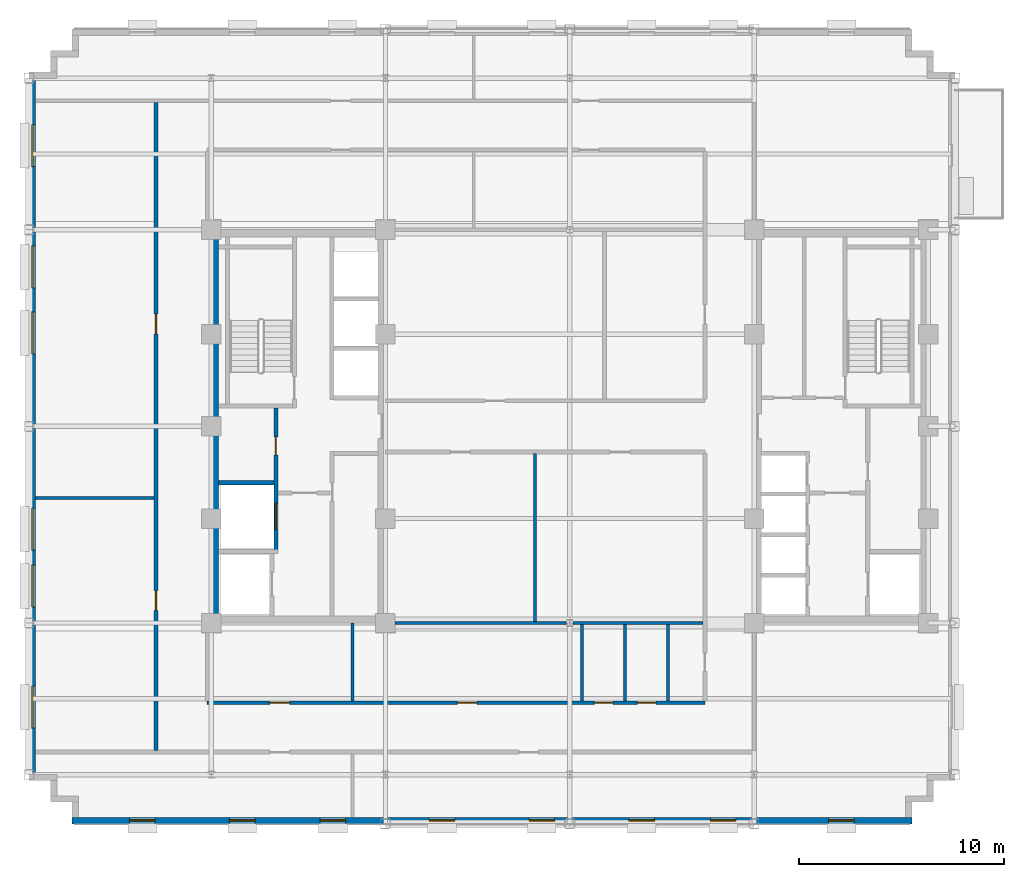
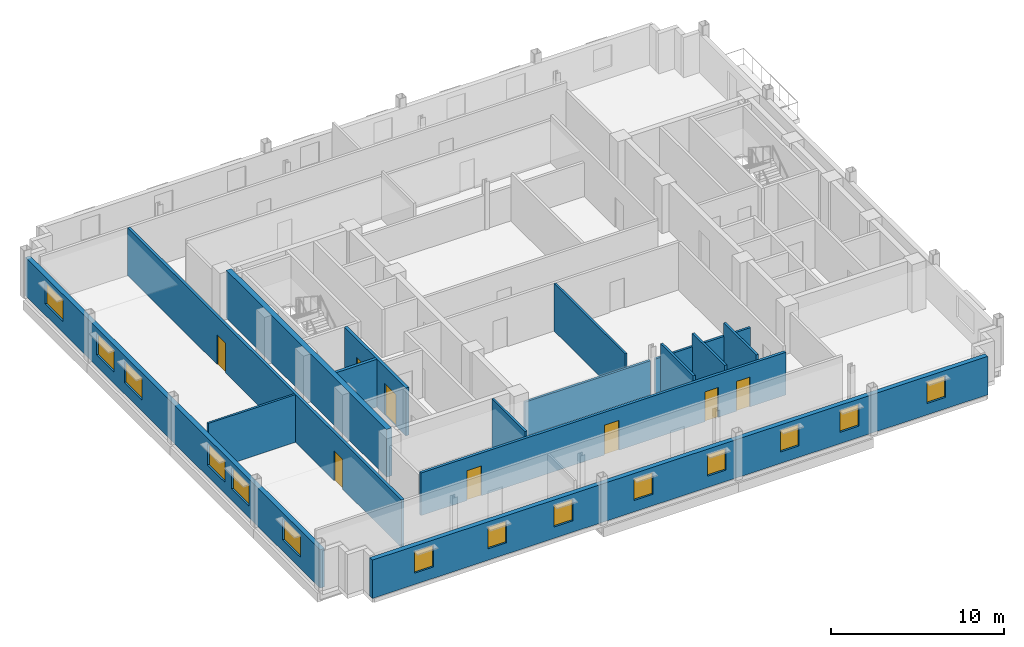
# One storey, part 6 of 13: 15 walls, 14 windows, 8 doors, 22 openings.
"""IFC4 building model written with IfcOpenShell, lengths in metres."""

from ifc_helpers import new_model, si_unit, direction, frame, frame_2d, origin, place, context, subcontext, project, spatial, rectangle, extrude, source, transform, mapped, material, layer, layer_set, type_object, type_shapes, element, fill, save


model = new_model("IFC4")

# Units and contexts
model_context = context("Model", 3, precision=1e-05, world=origin(), true_north=direction((0.0, 1.0)))
body_context = subcontext(model_context, "Body", "Model", "MODEL_VIEW")
ifc_project = project(units=[si_unit("LENGTHUNIT", "METRE"), si_unit("AREAUNIT", "SQUARE_METRE"), si_unit("VOLUMEUNIT", "CUBIC_METRE"), si_unit("PLANEANGLEUNIT", "RADIAN"), si_unit("MASSUNIT", "GRAM", prefix="KILO")], contexts=[model_context])

# Site, building, storey
site_placement = place(None, origin())
site = spatial("IfcSite", under=ifc_project, at=site_placement, CompositionType="ELEMENT")
building_placement = place(site_placement, origin())
building = spatial("IfcBuilding", under=site, at=building_placement, Name="Nuvemarco Arch Tower", CompositionType="ELEMENT")
storey_placement = place(building_placement, frame((0.0, 0.0, 216.449951171875)))
storey = spatial("IfcBuildingStorey", under=building, at=storey_placement, Name="L57", CompositionType="ELEMENT", Elevation=216.449951171875)

# Wall, openings, windows
ifc_material_1 = material(Name="Precast concrete C45/55", Category="concrete")
ifc_layer_1 = layer(ifc_material_1, 0.31005859375, Name="EW-UPP-310")
ifc_layer_set_1 = layer_set([ifc_layer_1], Name="Precast concrete C45/55")
wall_type_1 = type_object("IfcWallType", Name="EW-UPP-310", PredefinedType="STANDARD", material=ifc_layer_set_1)
wall_1_placement = place(storey_placement, frame((-24.300048828125, -19.2451171875, 0.0), z_axis=(0.0, 0.0, 1.0), x_axis=(1.0, 0.0, 0.0)))
wall_1 = element("IfcWall", 1, at=wall_1_placement, inside=storey, type_object=wall_type_1, Name="L57 exterior precast facade wall 1", PredefinedType="STANDARD", context=body_context, shape_type="SweptSolid", body=[
    extrude(rectangle(XDim=41.0, YDim=0.31005859375, at=frame_2d((20.5, 0.0))), origin(), (0.0, 0.0, 1.0), 2.705078125),
])
opening_1_placement = place(wall_1_placement, frame((2.8125, 0.0, 0.800048828125)))
opening_1 = element("IfcOpeningElement", 2, at=opening_1_placement, cuts=wall_1, Name="Opening WN-13", PredefinedType="OPENING", context=body_context, shape_type="SweptSolid", body=[
    extrude(rectangle(XDim=1.25, YDim=1.52001953125, at=frame_2d((0.625, 0.760009765625))), frame((0.0, 0.1650390625, 0.0), z_axis=(0.0, -1.0, 0.0), x_axis=(1.0, 0.0, 0.0)), (0.0, 0.0, 1.0), 0.330078125),
])
opening_2_placement = place(wall_1_placement, frame((7.6875, 0.0, 0.800048828125)))
opening_2 = element("IfcOpeningElement", 3, at=opening_2_placement, cuts=wall_1, Name="Opening WN-13", PredefinedType="OPENING", context=body_context, shape_type="SweptSolid", body=[
    extrude(rectangle(XDim=1.25, YDim=1.52001953125, at=frame_2d((0.625, 0.760009765625))), frame((0.0, 0.1650390625, 0.0), z_axis=(0.0, -1.0, 0.0), x_axis=(1.0, 0.0, 0.0)), (0.0, 0.0, 1.0), 0.330078125),
])
opening_3_placement = place(wall_1_placement, frame((12.112548828125, 0.0, 0.800048828125)))
opening_3 = element("IfcOpeningElement", 4, at=opening_3_placement, cuts=wall_1, Name="Opening WN-13", PredefinedType="OPENING", context=body_context, shape_type="SweptSolid", body=[
    extrude(rectangle(XDim=1.25, YDim=1.52001953125, at=frame_2d((0.625, 0.760009765625))), frame((0.0, 0.1650390625, 0.0), z_axis=(0.0, -1.0, 0.0), x_axis=(1.0, 0.0, 0.0)), (0.0, 0.0, 1.0), 0.330078125),
])
opening_4_placement = place(wall_1_placement, frame((17.4375, 0.0, 0.800048828125)))
opening_4 = element("IfcOpeningElement", 5, at=opening_4_placement, cuts=wall_1, Name="Opening WN-13", PredefinedType="OPENING", context=body_context, shape_type="SweptSolid", body=[
    extrude(rectangle(XDim=1.25, YDim=1.52001953125, at=frame_2d((0.625, 0.760009765625))), frame((0.0, 0.1650390625, 0.0), z_axis=(0.0, -1.0, 0.0), x_axis=(1.0, 0.0, 0.0)), (0.0, 0.0, 1.0), 0.330078125),
])
opening_5_placement = place(wall_1_placement, frame((22.3125, 0.0, 0.800048828125)))
opening_5 = element("IfcOpeningElement", 6, at=opening_5_placement, cuts=wall_1, Name="Opening WN-13", PredefinedType="OPENING", context=body_context, shape_type="SweptSolid", body=[
    extrude(rectangle(XDim=1.25, YDim=1.52001953125, at=frame_2d((0.625, 0.760009765625))), frame((0.0, 0.1650390625, 0.0), z_axis=(0.0, -1.0, 0.0), x_axis=(1.0, 0.0, 0.0)), (0.0, 0.0, 1.0), 0.330078125),
])
opening_6_placement = place(wall_1_placement, frame((27.1875, 0.0, 0.800048828125)))
opening_6 = element("IfcOpeningElement", 7, at=opening_6_placement, cuts=wall_1, Name="Opening WN-13", PredefinedType="OPENING", context=body_context, shape_type="SweptSolid", body=[
    extrude(rectangle(XDim=1.25, YDim=1.52001953125, at=frame_2d((0.625, 0.760009765625))), frame((0.0, 0.1650390625, 0.0), z_axis=(0.0, -1.0, 0.0), x_axis=(1.0, 0.0, 0.0)), (0.0, 0.0, 1.0), 0.330078125),
])
opening_7_placement = place(wall_1_placement, frame((31.16259765625, 0.0, 0.800048828125)))
opening_7 = element("IfcOpeningElement", 8, at=opening_7_placement, cuts=wall_1, Name="Opening WN-13", PredefinedType="OPENING", context=body_context, shape_type="SweptSolid", body=[
    extrude(rectangle(XDim=1.25, YDim=1.52001953125, at=frame_2d((0.625, 0.760009765625))), frame((0.0, 0.1650390625, 0.0), z_axis=(0.0, -1.0, 0.0), x_axis=(1.0, 0.0, 0.0)), (0.0, 0.0, 1.0), 0.330078125),
])
opening_8_placement = place(wall_1_placement, frame((36.9375, 0.0, 0.800048828125)))
opening_8 = element("IfcOpeningElement", 9, at=opening_8_placement, cuts=wall_1, Name="Opening WN-13", PredefinedType="OPENING", context=body_context, shape_type="SweptSolid", body=[
    extrude(rectangle(XDim=1.25, YDim=1.52001953125, at=frame_2d((0.625, 0.760009765625))), frame((0.0, 0.1650390625, 0.0), z_axis=(0.0, -1.0, 0.0), x_axis=(1.0, 0.0, 0.0)), (0.0, 0.0, 1.0), 0.330078125),
])
ifc_material_2 = material(Name="Insulated solar-control glass", Category="glass")
window_type_1 = type_object("IfcWindowType", Name="WN-SET-1250x1520", PartitioningType="SINGLE_PANEL", PredefinedType="WINDOW", material=ifc_material_2)
shared_shape_1 = source(origin(), body_context, "Body", "SweptSolid", [
    extrude(rectangle(XDim=1.25, YDim=1.52001953125, at=frame_2d((0.625, 0.760009765625))), frame((0.0, 0.030029296875, 0.0), z_axis=(0.0, -1.0, 0.0), x_axis=(1.0, 0.0, 0.0)), (0.0, 0.0, 1.0), 0.06005859375),
])
type_shapes(window_type_1, [shared_shape_1])
window_1_placement = place(opening_1_placement, origin())
window_1 = element("IfcWindow", 10, at=window_1_placement, inside=storey, type_object=window_type_1, Name="L57 punched facade window 1", OverallHeight=1.52001953125, OverallWidth=1.25, PartitioningType="SINGLE_PANEL", PredefinedType="WINDOW", context=body_context, shape_type="MappedRepresentation", body=[
    mapped(shared_shape_1, transform((0.0, 0.0, 0.0), scale=1.0)),
])
fill(opening_1, window_1)
window_2_placement = place(opening_2_placement, origin())
window_2 = element("IfcWindow", 11, at=window_2_placement, inside=storey, type_object=window_type_1, Name="L57 punched facade window 2", OverallHeight=1.52001953125, OverallWidth=1.25, PartitioningType="SINGLE_PANEL", PredefinedType="WINDOW", context=body_context, shape_type="MappedRepresentation", body=[
    mapped(shared_shape_1, transform((0.0, 0.0, 0.0), scale=1.0)),
])
fill(opening_2, window_2)
window_3_placement = place(opening_3_placement, origin())
window_3 = element("IfcWindow", 12, at=window_3_placement, inside=storey, type_object=window_type_1, Name="L57 punched facade window 3", OverallHeight=1.52001953125, OverallWidth=1.25, PartitioningType="SINGLE_PANEL", PredefinedType="WINDOW", context=body_context, shape_type="MappedRepresentation", body=[
    mapped(shared_shape_1, transform((0.0, 0.0, 0.0), scale=1.0)),
])
fill(opening_3, window_3)
window_4_placement = place(opening_4_placement, origin())
window_4 = element("IfcWindow", 13, at=window_4_placement, inside=storey, type_object=window_type_1, Name="L57 punched facade window 4", OverallHeight=1.52001953125, OverallWidth=1.25, PartitioningType="SINGLE_PANEL", PredefinedType="WINDOW", context=body_context, shape_type="MappedRepresentation", body=[
    mapped(shared_shape_1, transform((0.0, 0.0, 0.0), scale=1.0)),
])
fill(opening_4, window_4)
window_5_placement = place(opening_5_placement, origin())
window_5 = element("IfcWindow", 14, at=window_5_placement, inside=storey, type_object=window_type_1, Name="L57 punched facade window 5", OverallHeight=1.52001953125, OverallWidth=1.25, PartitioningType="SINGLE_PANEL", PredefinedType="WINDOW", context=body_context, shape_type="MappedRepresentation", body=[
    mapped(shared_shape_1, transform((0.0, 0.0, 0.0), scale=1.0)),
])
fill(opening_5, window_5)
window_6_placement = place(opening_6_placement, origin())
window_6 = element("IfcWindow", 15, at=window_6_placement, inside=storey, type_object=window_type_1, Name="L57 punched facade window 6", OverallHeight=1.52001953125, OverallWidth=1.25, PartitioningType="SINGLE_PANEL", PredefinedType="WINDOW", context=body_context, shape_type="MappedRepresentation", body=[
    mapped(shared_shape_1, transform((0.0, 0.0, 0.0), scale=1.0)),
])
fill(opening_6, window_6)
window_7_placement = place(opening_7_placement, origin())
window_7 = element("IfcWindow", 16, at=window_7_placement, inside=storey, type_object=window_type_1, Name="L57 punched facade window 7", OverallHeight=1.52001953125, OverallWidth=1.25, PartitioningType="SINGLE_PANEL", PredefinedType="WINDOW", context=body_context, shape_type="MappedRepresentation", body=[
    mapped(shared_shape_1, transform((0.0, 0.0, 0.0), scale=1.0)),
])
fill(opening_7, window_7)
window_8_placement = place(opening_8_placement, origin())
window_8 = element("IfcWindow", 17, at=window_8_placement, inside=storey, type_object=window_type_1, Name="L57 punched facade window 8", OverallHeight=1.52001953125, OverallWidth=1.25, PartitioningType="SINGLE_PANEL", PredefinedType="WINDOW", context=body_context, shape_type="MappedRepresentation", body=[
    mapped(shared_shape_1, transform((0.0, 0.0, 0.0), scale=1.0)),
])
fill(opening_8, window_8)

wall_2_placement = place(storey_placement, frame((-26.2451171875, -16.993896484375, 0.0), z_axis=(0.0, 0.0, 1.0), x_axis=(0.0, 1.0, 0.0)))
wall_2 = element("IfcWall", 18, at=wall_2_placement, inside=storey, type_object=wall_type_1, Name="L57 exterior precast facade wall 16", PredefinedType="STANDARD", context=body_context, shape_type="SweptSolid", body=[
    extrude(rectangle(XDim=33.98779296875, YDim=0.31005859375, at=frame_2d((16.993896484375, 0.0))), origin(), (0.0, 0.0, 1.0), 2.705078125),
])
opening_9_placement = place(wall_2_placement, frame((2.260009765625, 0.0, 0.800048828125)))
opening_9 = element("IfcOpeningElement", 19, at=opening_9_placement, cuts=wall_2, Name="Opening WN-12", PredefinedType="OPENING", context=body_context, shape_type="SweptSolid", body=[
    extrude(rectangle(XDim=2.050048828125, YDim=1.52001953125, at=frame_2d((1.02490234375, 0.760009765625))), frame((0.0, 0.1650390625, 0.0), z_axis=(0.0, -1.0, 0.0), x_axis=(1.0, 0.0, 0.0)), (0.0, 0.0, 1.0), 0.330078125),
])
opening_10_placement = place(wall_2_placement, frame((8.1796875, 0.0, 0.800048828125)))
opening_10 = element("IfcOpeningElement", 20, at=opening_10_placement, cuts=wall_2, Name="Opening WN-12", PredefinedType="OPENING", context=body_context, shape_type="SweptSolid", body=[
    extrude(rectangle(XDim=2.050048828125, YDim=1.52001953125, at=frame_2d((1.02490234375, 0.760009765625))), frame((0.0, 0.1650390625, 0.0), z_axis=(0.0, -1.0, 0.0), x_axis=(1.0, 0.0, 0.0)), (0.0, 0.0, 1.0), 0.330078125),
])
opening_11_placement = place(wall_2_placement, frame((10.94921875, 0.0, 0.800048828125)))
opening_11 = element("IfcOpeningElement", 21, at=opening_11_placement, cuts=wall_2, Name="Opening WN-12", PredefinedType="OPENING", context=body_context, shape_type="SweptSolid", body=[
    extrude(rectangle(XDim=2.050048828125, YDim=1.52001953125, at=frame_2d((1.02490234375, 0.760009765625))), frame((0.0, 0.1650390625, 0.0), z_axis=(0.0, -1.0, 0.0), x_axis=(1.0, 0.0, 0.0)), (0.0, 0.0, 1.0), 0.330078125),
])
opening_12_placement = place(wall_2_placement, frame((20.538818359375, 0.0, 0.800048828125)))
opening_12 = element("IfcOpeningElement", 22, at=opening_12_placement, cuts=wall_2, Name="Opening WN-12", PredefinedType="OPENING", context=body_context, shape_type="SweptSolid", body=[
    extrude(rectangle(XDim=2.050048828125, YDim=1.52001953125, at=frame_2d((1.02490234375, 0.760009765625))), frame((0.0, 0.1650390625, 0.0), z_axis=(0.0, -1.0, 0.0), x_axis=(1.0, 0.0, 0.0)), (0.0, 0.0, 1.0), 0.330078125),
])
opening_13_placement = place(wall_2_placement, frame((23.75830078125, 0.0, 0.800048828125)))
opening_13 = element("IfcOpeningElement", 23, at=opening_13_placement, cuts=wall_2, Name="Opening WN-12", PredefinedType="OPENING", context=body_context, shape_type="SweptSolid", body=[
    extrude(rectangle(XDim=2.050048828125, YDim=1.52001953125, at=frame_2d((1.02490234375, 0.760009765625))), frame((0.0, 0.1650390625, 0.0), z_axis=(0.0, -1.0, 0.0), x_axis=(1.0, 0.0, 0.0)), (0.0, 0.0, 1.0), 0.330078125),
])
opening_14_placement = place(wall_2_placement, frame((29.677978515625, 0.0, 0.800048828125)))
opening_14 = element("IfcOpeningElement", 24, at=opening_14_placement, cuts=wall_2, Name="Opening WN-12", PredefinedType="OPENING", context=body_context, shape_type="SweptSolid", body=[
    extrude(rectangle(XDim=2.050048828125, YDim=1.52001953125, at=frame_2d((1.02490234375, 0.760009765625))), frame((0.0, 0.1650390625, 0.0), z_axis=(0.0, -1.0, 0.0), x_axis=(1.0, 0.0, 0.0)), (0.0, 0.0, 1.0), 0.330078125),
])
window_type_2 = type_object("IfcWindowType", Name="WN-SET-2050x1520", PartitioningType="DOUBLE_PANEL_VERTICAL", PredefinedType="WINDOW", material=ifc_material_2)
shared_shape_2 = source(origin(), body_context, "Body", "SweptSolid", [
    extrude(rectangle(XDim=2.050048828125, YDim=1.52001953125, at=frame_2d((1.02490234375, 0.760009765625))), frame((0.0, 0.030029296875, 0.0), z_axis=(0.0, -1.0, 0.0), x_axis=(1.0, 0.0, 0.0)), (0.0, 0.0, 1.0), 0.06005859375),
])
type_shapes(window_type_2, [shared_shape_2])
window_9_placement = place(opening_9_placement, origin())
window_9 = element("IfcWindow", 25, at=window_9_placement, inside=storey, type_object=window_type_2, Name="L57 punched facade window 1", OverallHeight=1.52001953125, OverallWidth=2.050048828125, PartitioningType="SINGLE_PANEL", PredefinedType="WINDOW", context=body_context, shape_type="MappedRepresentation", body=[
    mapped(shared_shape_2, transform((0.0, 0.0, 0.0), scale=1.0)),
])
fill(opening_9, window_9)
window_10_placement = place(opening_10_placement, origin())
window_10 = element("IfcWindow", 26, at=window_10_placement, inside=storey, type_object=window_type_2, Name="L57 punched facade window 2", OverallHeight=1.52001953125, OverallWidth=2.050048828125, PartitioningType="SINGLE_PANEL", PredefinedType="WINDOW", context=body_context, shape_type="MappedRepresentation", body=[
    mapped(shared_shape_2, transform((0.0, 0.0, 0.0), scale=1.0)),
])
fill(opening_10, window_10)
window_11_placement = place(opening_11_placement, origin())
window_11 = element("IfcWindow", 27, at=window_11_placement, inside=storey, type_object=window_type_2, Name="L57 punched facade window 3", OverallHeight=1.52001953125, OverallWidth=2.050048828125, PartitioningType="SINGLE_PANEL", PredefinedType="WINDOW", context=body_context, shape_type="MappedRepresentation", body=[
    mapped(shared_shape_2, transform((0.0, 0.0, 0.0), scale=1.0)),
])
fill(opening_11, window_11)
window_12_placement = place(opening_12_placement, origin())
window_12 = element("IfcWindow", 28, at=window_12_placement, inside=storey, type_object=window_type_2, Name="L57 punched facade window 5", OverallHeight=1.52001953125, OverallWidth=2.050048828125, PartitioningType="SINGLE_PANEL", PredefinedType="WINDOW", context=body_context, shape_type="MappedRepresentation", body=[
    mapped(shared_shape_2, transform((0.0, 0.0, 0.0), scale=1.0)),
])
fill(opening_12, window_12)
window_13_placement = place(opening_13_placement, origin())
window_13 = element("IfcWindow", 29, at=window_13_placement, inside=storey, type_object=window_type_2, Name="L57 punched facade window 6", OverallHeight=1.52001953125, OverallWidth=2.050048828125, PartitioningType="SINGLE_PANEL", PredefinedType="WINDOW", context=body_context, shape_type="MappedRepresentation", body=[
    mapped(shared_shape_2, transform((0.0, 0.0, 0.0), scale=1.0)),
])
fill(opening_13, window_13)
window_14_placement = place(opening_14_placement, origin())
window_14 = element("IfcWindow", 30, at=window_14_placement, inside=storey, type_object=window_type_2, Name="L57 punched facade window 7", OverallHeight=1.52001953125, OverallWidth=2.050048828125, PartitioningType="SINGLE_PANEL", PredefinedType="WINDOW", context=body_context, shape_type="MappedRepresentation", body=[
    mapped(shared_shape_2, transform((0.0, 0.0, 0.0), scale=1.0)),
])
fill(opening_14, window_14)

# Wall
ifc_material_3 = material(Name="Concrete C50/60", Category="concrete")
ifc_layer_2 = layer(ifc_material_3, 0.35009765625, Name="WL-CORE-350")
ifc_layer_set_2 = layer_set([ifc_layer_2], Name="Concrete C50/60")
wall_type_2 = type_object("IfcWallType", Name="WL-CORE-350", PredefinedType="SHEAR", material=ifc_layer_set_2)
wall_3_placement = place(storey_placement, frame((-17.324951171875, -9.2548828125, 0.0), z_axis=(0.0, 0.0, 1.0), x_axis=(0.0, 1.0, 0.0)))
element("IfcWall", 31, at=wall_3_placement, inside=storey, type_object=wall_type_2, Name="L57 W-core shear wall W", PredefinedType="SHEAR", context=body_context, shape_type="SweptSolid", body=[
    extrude(rectangle(XDim=18.509765625, YDim=0.35009765625, at=frame_2d((9.2548828125, 0.0))), origin(), (0.0, 0.0, 1.0), 3.3701171875),
])

# Wall, openings, doors
ifc_material_4 = material(Name="Fire-rated gypsum drywall partition")
ifc_layer_3 = layer(ifc_material_4, 0.179931640625, Name="WL-CORR-180")
ifc_layer_set_3 = layer_set([ifc_layer_3], Name="Fire-rated gypsum drywall partition")
wall_type_3 = type_object("IfcWallType", Name="WL-CORR-180", PredefinedType="PARTITIONING", material=ifc_layer_set_3)
wall_4_placement = place(storey_placement, frame((-17.699951171875, -13.5, 0.0), z_axis=(0.0, 0.0, 1.0), x_axis=(1.0, 0.0, 0.0)))
wall_4 = element("IfcWall", 32, at=wall_4_placement, inside=storey, type_object=wall_type_3, Name="L57 interior wall IW-L57-002", PredefinedType="PARTITIONING", context=body_context, shape_type="SweptSolid", body=[
    extrude(rectangle(XDim=24.300048828125, YDim=0.179931640625, at=frame_2d((12.14990234375, 0.0))), origin(), (0.0, 0.0, 1.0), 3.008056640625),
])
opening_15_placement = place(wall_4_placement, frame((12.215087890625, 0.0, 0.0)))
opening_15 = element("IfcOpeningElement", 33, at=opening_15_placement, cuts=wall_4, Name="Opening FD-5", PredefinedType="OPENING", context=body_context, shape_type="SweptSolid", body=[
    extrude(rectangle(XDim=0.9599609375, YDim=2.10009765625, at=frame_2d((0.47998046875, 1.050048828125))), frame((0.0, 0.099853515625, 0.0), z_axis=(0.0, -1.0, 0.0), x_axis=(1.0, 0.0, 0.0)), (0.0, 0.0, 1.0), 0.199951171875),
])
opening_16_placement = place(wall_4_placement, frame((3.06494140625, 0.0, 0.0)))
opening_16 = element("IfcOpeningElement", 34, at=opening_16_placement, cuts=wall_4, Name="Opening FD-5", PredefinedType="OPENING", context=body_context, shape_type="SweptSolid", body=[
    extrude(rectangle(XDim=0.9599609375, YDim=2.10009765625, at=frame_2d((0.47998046875, 1.050048828125))), frame((0.0, 0.099853515625, 0.0), z_axis=(0.0, -1.0, 0.0), x_axis=(1.0, 0.0, 0.0)), (0.0, 0.0, 1.0), 0.199951171875),
])
opening_17_placement = place(wall_4_placement, frame((18.89990234375, 0.0, 0.0)))
opening_17 = element("IfcOpeningElement", 35, at=opening_17_placement, cuts=wall_4, Name="Opening ID-3", PredefinedType="OPENING", context=body_context, shape_type="SweptSolid", body=[
    extrude(rectangle(XDim=0.89990234375, YDim=2.10009765625, at=frame_2d((0.449951171875, 1.050048828125))), frame((0.0, 0.099853515625, 0.0), z_axis=(0.0, -1.0, 0.0), x_axis=(1.0, 0.0, 0.0)), (0.0, 0.0, 1.0), 0.199951171875),
])
opening_18_placement = place(wall_4_placement, frame((21.0, 0.0, 0.0)))
opening_18 = element("IfcOpeningElement", 36, at=opening_18_placement, cuts=wall_4, Name="Opening ID-3", PredefinedType="OPENING", context=body_context, shape_type="SweptSolid", body=[
    extrude(rectangle(XDim=0.89990234375, YDim=2.10009765625, at=frame_2d((0.449951171875, 1.050048828125))), frame((0.0, 0.099853515625, 0.0), z_axis=(0.0, -1.0, 0.0), x_axis=(1.0, 0.0, 0.0)), (0.0, 0.0, 1.0), 0.199951171875),
])
ifc_material_5 = material(Name="Timber fire door", Category="wood")
door_type_1 = type_object("IfcDoorType", Name="DR-CORR-FD", OperationType="NOTDEFINED", PredefinedType="DOOR", material=ifc_material_5)
shared_shape_3 = source(origin(), body_context, "Body", "SweptSolid", [
    extrude(rectangle(XDim=0.9599609375, YDim=2.10009765625, at=frame_2d((0.47998046875, 1.050048828125))), frame((0.0, 0.02490234375, 0.0), z_axis=(0.0, -1.0, 0.0), x_axis=(1.0, 0.0, 0.0)), (0.0, 0.0, 1.0), 0.050048828125),
])
type_shapes(door_type_1, [shared_shape_3])
door_1_placement = place(opening_15_placement, origin())
door_1 = element("IfcDoor", 37, at=door_1_placement, inside=storey, type_object=door_type_1, Name="L57 door DR-L57-S_2_2", OperationType="SINGLE_SWING_RIGHT", OverallHeight=2.10009765625, OverallWidth=0.9599609375, PredefinedType="DOOR", context=body_context, shape_type="MappedRepresentation", body=[
    mapped(shared_shape_3, transform((0.0, 0.0, 0.0), scale=1.0)),
])
fill(opening_15, door_1)
door_2_placement = place(opening_16_placement, origin())
door_2 = element("IfcDoor", 38, at=door_2_placement, inside=storey, type_object=door_type_1, Name="L57 door DR-L57-IN_S1", OperationType="SINGLE_SWING_LEFT", OverallHeight=2.10009765625, OverallWidth=0.9599609375, PredefinedType="DOOR", context=body_context, shape_type="MappedRepresentation", body=[
    mapped(shared_shape_3, transform((0.0, 0.0, 0.0), scale=1.0)),
])
fill(opening_16, door_2)
ifc_material_6 = material(Name="Veneered oak timber fire door", Category="wood")
door_type_2 = type_object("IfcDoorType", Name="DR-WC-ACC", OperationType="NOTDEFINED", PredefinedType="DOOR", material=ifc_material_6)
shared_shape_4 = source(origin(), body_context, "Body", "SweptSolid", [
    extrude(rectangle(XDim=0.89990234375, YDim=2.10009765625, at=frame_2d((0.449951171875, 1.050048828125))), frame((0.0, 0.02490234375, 0.0), z_axis=(0.0, -1.0, 0.0), x_axis=(1.0, 0.0, 0.0)), (0.0, 0.0, 1.0), 0.050048828125),
])
type_shapes(door_type_2, [shared_shape_4])
door_3_placement = place(opening_17_placement, origin())
door_3 = element("IfcDoor", 39, at=door_3_placement, inside=storey, type_object=door_type_2, Name="L57 door DR-L57-WC_M", OperationType="SINGLE_SWING_LEFT", OverallHeight=2.10009765625, OverallWidth=0.89990234375, PredefinedType="DOOR", context=body_context, shape_type="MappedRepresentation", body=[
    mapped(shared_shape_4, transform((0.0, 0.0, 0.0), scale=1.0)),
])
fill(opening_17, door_3)
door_4_placement = place(opening_18_placement, origin())
door_4 = element("IfcDoor", 40, at=door_4_placement, inside=storey, type_object=door_type_2, Name="L57 door DR-L57-WC_F", OperationType="SINGLE_SWING_RIGHT", OverallHeight=2.10009765625, OverallWidth=0.89990234375, PredefinedType="DOOR", context=body_context, shape_type="MappedRepresentation", body=[
    mapped(shared_shape_4, transform((0.0, 0.0, 0.0), scale=1.0)),
])
fill(opening_18, door_4)

wall_5_placement = place(storey_placement, frame((-20.199951171875, -15.81396484375, 0.0), z_axis=(0.0, 0.0, 1.0), x_axis=(0.0, 1.0, 0.0)))
wall_5 = element("IfcWall", 41, at=wall_5_placement, inside=storey, type_object=wall_type_3, Name="L57 interior wall IW-L57-012", PredefinedType="PARTITIONING", context=body_context, shape_type="SweptSolid", body=[
    extrude(rectangle(XDim=31.6279296875, YDim=0.179931640625, at=frame_2d((15.81396484375, 0.0))), origin(), (0.0, 0.0, 1.0), 3.360107421875),
])
opening_19_placement = place(wall_5_placement, frame((20.333984375, 0.0, 0.0)))
opening_19 = element("IfcOpeningElement", 42, at=opening_19_placement, cuts=wall_5, Name="Opening FD-5", PredefinedType="OPENING", context=body_context, shape_type="SweptSolid", body=[
    extrude(rectangle(XDim=0.9599609375, YDim=2.10009765625, at=frame_2d((0.47998046875, 1.050048828125))), frame((0.0, 0.099853515625, 0.0), z_axis=(0.0, -1.0, 0.0), x_axis=(1.0, 0.0, 0.0)), (0.0, 0.0, 1.0), 0.199951171875),
])
opening_20_placement = place(wall_5_placement, frame((6.833984375, 0.0, 0.0)))
opening_20 = element("IfcOpeningElement", 43, at=opening_20_placement, cuts=wall_5, Name="Opening FD-5", PredefinedType="OPENING", context=body_context, shape_type="SweptSolid", body=[
    extrude(rectangle(XDim=0.9599609375, YDim=2.10009765625, at=frame_2d((0.47998046875, 1.050048828125))), frame((0.0, 0.099853515625, 0.0), z_axis=(0.0, -1.0, 0.0), x_axis=(1.0, 0.0, 0.0)), (0.0, 0.0, 1.0), 0.199951171875),
])
door_5_placement = place(opening_19_placement, origin())
door_5 = element("IfcDoor", 44, at=door_5_placement, inside=storey, type_object=door_type_1, Name="L57 door DR-L57-W_2", OperationType="SINGLE_SWING_LEFT", OverallHeight=2.10009765625, OverallWidth=0.9599609375, PredefinedType="DOOR", context=body_context, shape_type="MappedRepresentation", body=[
    mapped(shared_shape_3, transform((0.0, 0.0, 0.0), scale=1.0)),
])
fill(opening_19, door_5)
door_6_placement = place(opening_20_placement, origin())
door_6 = element("IfcDoor", 45, at=door_6_placement, inside=storey, type_object=door_type_1, Name="L57 door DR-L57-W_1", OperationType="SINGLE_SWING_RIGHT", OverallHeight=2.10009765625, OverallWidth=0.9599609375, PredefinedType="DOOR", context=body_context, shape_type="MappedRepresentation", body=[
    mapped(shared_shape_3, transform((0.0, 0.0, 0.0), scale=1.0)),
])
fill(opening_20, door_6)

# Walls
ifc_material_7 = material(Name="Gypsum plasterboard partition")
ifc_layer_4 = layer(ifc_material_7, 0.139892578125, Name="WL-ROOM-140")
ifc_layer_set_4 = layer_set([ifc_layer_4], Name="Gypsum plasterboard partition")
wall_type_4 = type_object("IfcWallType", Name="WL-ROOM-140", PredefinedType="PARTITIONING", material=ifc_layer_set_4)
wall_6_placement = place(storey_placement, frame((-26.090087890625, -3.5, 0.0), z_axis=(0.0, 0.0, 1.0), x_axis=(1.0, 0.0, 0.0)))
element("IfcWall", 46, at=wall_6_placement, inside=storey, type_object=wall_type_4, Name="L57 interior wall IW-L57-005", PredefinedType="PARTITIONING", context=body_context, shape_type="SweptSolid", body=[
    extrude(rectangle(XDim=5.80419921875, YDim=0.139892578125, at=frame_2d((2.902099609375, 0.0))), origin(), (0.0, 0.0, 1.0), 3.360107421875),
])
wall_7_placement = place(storey_placement, frame((-10.610107421875, -13.4140625, 0.0), z_axis=(0.0, 0.0, 1.0), x_axis=(0.0, 1.0, 0.0)))
element("IfcWall", 47, at=wall_7_placement, inside=storey, type_object=wall_type_4, Name="L57 interior wall IW-L57-016", PredefinedType="PARTITIONING", context=body_context, shape_type="SweptSolid", body=[
    extrude(rectangle(XDim=3.81396484375, YDim=0.139892578125, at=frame_2d((1.906982421875, 0.0))), origin(), (0.0, 0.0, 1.0), 3.360107421875),
])
wall_8_placement = place(storey_placement, frame((-1.699951171875, -9.529052734375, 0.0), z_axis=(0.0, 0.0, 1.0), x_axis=(0.0, 1.0, 0.0)))
element("IfcWall", 48, at=wall_8_placement, inside=storey, type_object=wall_type_4, Name="L57 interior wall IW-L57-019", PredefinedType="PARTITIONING", context=body_context, shape_type="SweptSolid", body=[
    extrude(rectangle(XDim=8.193115234375, YDim=0.139892578125, at=frame_2d((4.0966796875, 0.0))), origin(), (0.0, 0.0, 1.0), 3.360107421875),
])

# Wall, openings, doors
ifc_layer_5 = layer(ifc_material_3, 0.199951171875, Name="WL-SHAFT-220")
ifc_layer_set_5 = layer_set([ifc_layer_5], Name="Concrete C50/60")
wall_type_5 = type_object("IfcWallType", Name="WL-SHAFT-220", PredefinedType="SHEAR", material=ifc_layer_set_5)
wall_9_placement = place(storey_placement, frame((-14.35009765625, -6.199951171875, 0.0), z_axis=(0.0, 0.0, 1.0), x_axis=(0.0, 1.0, 0.0)))
wall_9 = element("IfcWall", 49, at=wall_9_placement, inside=storey, type_object=wall_type_5, Name="L57 structural shaft wall SW-L57-W-SVE", PredefinedType="SHEAR", context=body_context, shape_type="SweptSolid", body=[
    extrude(rectangle(XDim=7.10498046875, YDim=0.199951171875, at=frame_2d((3.552490234375, 0.0))), origin(), (0.0, 0.0, 1.0), 3.3701171875),
])
opening_21_placement = place(wall_9_placement, frame((5.68994140625, 0.0, 0.0), z_axis=(0.0, 0.0, 1.0), x_axis=(-1.0, 0.0, 0.0)))
opening_21 = element("IfcOpeningElement", 50, at=opening_21_placement, cuts=wall_9, Name="Opening FD-4", PredefinedType="OPENING", context=body_context, shape_type="SweptSolid", body=[
    extrude(rectangle(XDim=0.8798828125, YDim=2.10009765625, at=frame_2d((0.43994140625, 1.050048828125))), frame((0.0, 0.10986328125, 0.0), z_axis=(0.0, -1.0, 0.0), x_axis=(1.0, 0.0, 0.0)), (0.0, 0.0, 1.0), 0.219970703125),
])
opening_22_placement = place(wall_9_placement, frame((1.14990234375, 0.0, 0.0)))
opening_22 = element("IfcOpeningElement", 51, at=opening_22_placement, cuts=wall_9, Name="Opening LD-3", PredefinedType="OPENING", context=body_context, shape_type="SweptSolid", body=[
    extrude(rectangle(XDim=1.300048828125, YDim=2.199951171875, at=frame_2d((0.64990234375, 1.10009765625))), frame((0.0, 0.10986328125, 0.0), z_axis=(0.0, -1.0, 0.0), x_axis=(1.0, 0.0, 0.0)), (0.0, 0.0, 1.0), 0.219970703125),
])
ifc_material_8 = material(Name="Anodised steel fire door", Category="steel")
door_type_3 = type_object("IfcDoorType", Name="DR-RISER-FD", OperationType="NOTDEFINED", PredefinedType="DOOR", material=ifc_material_8)
shared_shape_5 = source(origin(), body_context, "Body", "SweptSolid", [
    extrude(rectangle(XDim=0.8798828125, YDim=2.10009765625, at=frame_2d((0.43994140625, 1.050048828125))), frame((0.0, 0.02490234375, 0.0), z_axis=(0.0, -1.0, 0.0), x_axis=(1.0, 0.0, 0.0)), (0.0, 0.0, 1.0), 0.050048828125),
])
type_shapes(door_type_3, [shared_shape_5])
door_7_placement = place(opening_21_placement, origin())
door_7 = element("IfcDoor", 52, at=door_7_placement, inside=storey, type_object=door_type_3, Name="L57 door FD-L57-WRIS", OperationType="SINGLE_SWING_LEFT", OverallHeight=2.10009765625, OverallWidth=0.8798828125, PredefinedType="DOOR", context=body_context, shape_type="MappedRepresentation", body=[
    mapped(shared_shape_5, transform((0.0, 0.0, 0.0), scale=1.0)),
])
fill(opening_21, door_7)
ifc_material_9 = material(Name="Stainless steel lift door", Category="steel")
door_type_4 = type_object("IfcDoorType", Name="DR-LIFT-SERV", OperationType="DOUBLE_DOOR_SLIDING", PredefinedType="DOOR", material=ifc_material_9)
shared_shape_6 = source(origin(), body_context, "Body", "SweptSolid", [
    extrude(rectangle(XDim=1.300048828125, YDim=2.199951171875, at=frame_2d((0.64990234375, 1.10009765625))), frame((0.0, 0.02490234375, 0.0), z_axis=(0.0, -1.0, 0.0), x_axis=(1.0, 0.0, 0.0)), (0.0, 0.0, 1.0), 0.050048828125),
])
type_shapes(door_type_4, [shared_shape_6])
door_8_placement = place(opening_22_placement, origin())
door_8 = element("IfcDoor", 53, at=door_8_placement, inside=storey, type_object=door_type_4, Name="L57 Lift landing sliding door SVL-1", OperationType="DOUBLE_DOOR_SLIDING", OverallHeight=2.199951171875, OverallWidth=1.300048828125, PredefinedType="DOOR", context=body_context, shape_type="MappedRepresentation", body=[
    mapped(shared_shape_6, transform((0.0, 0.0, 0.0), scale=1.0)),
])
fill(opening_22, door_8)

# Walls
wall_10_placement = place(storey_placement, frame((-17.155029296875, -2.75, 0.0), z_axis=(0.0, 0.0, 1.0), x_axis=(1.0, 0.0, 0.0)))
element("IfcWall", 54, at=wall_10_placement, inside=storey, type_object=wall_type_5, Name="L57 structural shaft wall SW-L57-W-SH2", PredefinedType="SHEAR", context=body_context, shape_type="SweptSolid", body=[
    extrude(rectangle(XDim=2.7099609375, YDim=0.199951171875, at=frame_2d((1.35498046875, 0.0))), origin(), (0.0, 0.0, 1.0), 3.3701171875),
])
ifc_material_10 = material(Name="Moisture-resistant gypsum partition")
ifc_layer_6 = layer(ifc_material_10, 0.14990234375, Name="WL-WET-150")
ifc_layer_set_6 = layer_set([ifc_layer_6], Name="Moisture-resistant gypsum partition")
wall_type_6 = type_object("IfcWallType", Name="WL-WET-150", PredefinedType="PARTITIONING", material=ifc_layer_set_6)
wall_11_placement = place(storey_placement, frame((-8.529052734375, -9.60009765625, 0.0), z_axis=(0.0, 0.0, 1.0), x_axis=(1.0, 0.0, 0.0)))
element("IfcWall", 55, at=wall_11_placement, inside=storey, type_object=wall_type_6, Name="L57 interior wall IW-L57-003", PredefinedType="PARTITIONING", context=body_context, shape_type="SweptSolid", body=[
    extrude(rectangle(XDim=8.378173828125, YDim=0.14990234375, at=frame_2d((4.18896484375, 0.0))), origin(), (0.0, 0.0, 1.0), 2.405029296875),
])
wall_12_placement = place(storey_placement, frame((0.15087890625, -9.60009765625, 0.0), z_axis=(0.0, 0.0, 1.0), x_axis=(1.0, 0.0, 0.0)))
element("IfcWall", 56, at=wall_12_placement, inside=storey, type_object=wall_type_6, Name="L57 interior wall IW-L57-004", PredefinedType="PARTITIONING", context=body_context, shape_type="SweptSolid", body=[
    extrude(rectangle(XDim=6.363037109375, YDim=0.14990234375, at=frame_2d((3.181640625, 0.0))), origin(), (0.0, 0.0, 1.0), 2.405029296875),
])
for number, where, z_axis, x_axis, name in (
    (57, (0.60009765625, -13.4140625, 0.0), (0.0, 0.0, 1.0), (0.0, 1.0, 0.0), "L57 interior wall IW-L57-020"),
    (58, (2.699951171875, -13.4140625, 0.0), (0.0, 0.0, 1.0), (0.0, 1.0, 0.0), "L57 interior wall IW-L57-022"),
    (59, (4.800048828125, -13.4140625, 0.0), (0.0, 0.0, 1.0), (0.0, 1.0, 0.0), "L57 interior wall IW-L57-023"),
):
    element("IfcWall", number, at=place(storey_placement, frame(where, z_axis=z_axis, x_axis=x_axis)), inside=storey, type_object=wall_type_6, Name=name, PredefinedType="PARTITIONING", context=body_context, shape_type="SweptSolid", body=[
        extrude(rectangle(XDim=3.7431640625, YDim=0.14990234375, at=frame_2d((1.87158203125, 0.0))), origin(), (0.0, 0.0, 1.0), 3.360107421875),
    ])

save(model, "model.ifc")
